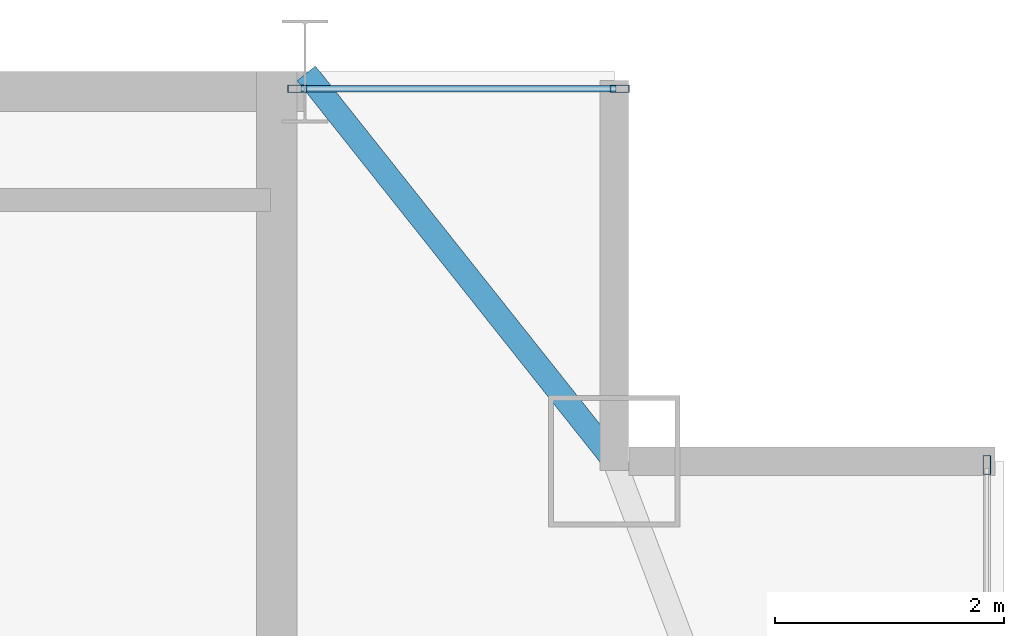
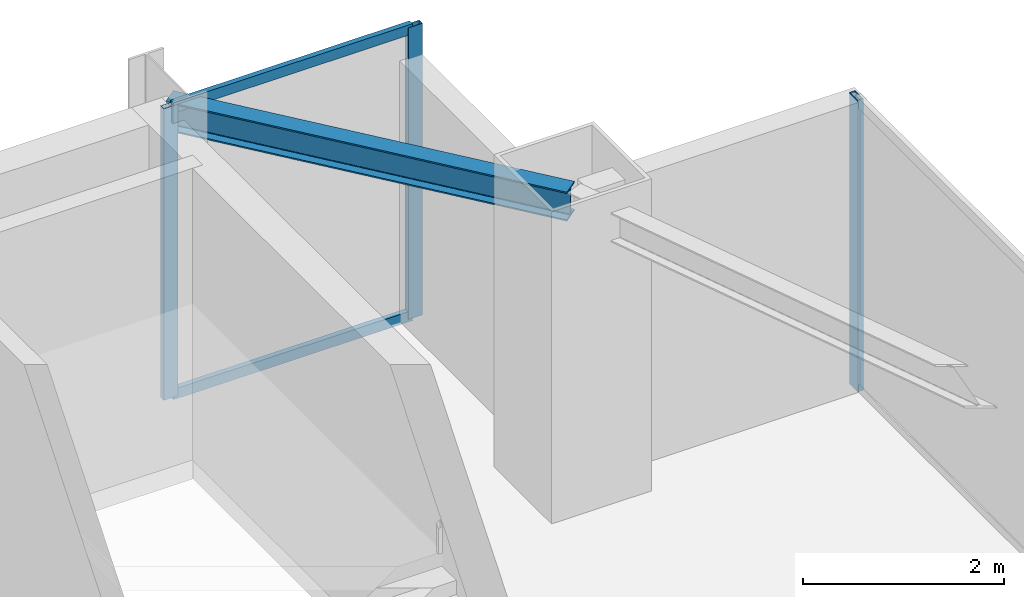
# One storey, part 18 of 25: 5 members, 1 beam, 2 elements without a shape of their own.
"""IFC4 building model written with IfcOpenShell, lengths in metres."""

from ifc_helpers import new_model, si_unit, direction, frame, origin, origin_2d, place, context, subcontext, project, spatial, hollow_rectangle, i_section, extrude, source, transform, mapped, material, layer, layer_set, material_profile, profile_set, type_object, type_shapes, element, aggregate, save


model = new_model("IFC4")

# Units and contexts
model_context = context("Model", 3, precision=1e-05, world=origin(), true_north=direction((0.0, 1.0)))
body_context = subcontext(model_context, "Body", "Model", "MODEL_VIEW")
ifc_project = project(units=[si_unit("LENGTHUNIT", "METRE"), si_unit("AREAUNIT", "SQUARE_METRE"), si_unit("VOLUMEUNIT", "CUBIC_METRE"), si_unit("PLANEANGLEUNIT", "RADIAN"), si_unit("MASSUNIT", "GRAM", prefix="KILO")], contexts=[model_context])

# Site, building, storey
site_placement = place(None, origin())
site = spatial("IfcSite", under=ifc_project, at=site_placement, CompositionType="ELEMENT")
building_placement = place(site_placement, origin())
building = spatial("IfcBuilding", under=site, at=building_placement, Name="Varnel Quay Broadcast Tower", CompositionType="ELEMENT")
storey_placement = place(building_placement, frame((0.0, 0.0, 226.39990234375)))
storey = spatial("IfcBuildingStorey", under=building, at=storey_placement, Name="L56", CompositionType="ELEMENT", Elevation=226.39990234375)

# Beam
ifc_material_1 = material(Name="Structural Steel CSA G40.21 350W", Category="steel")
ifc_material_profile_1 = material_profile(ifc_material_1, i_section(OverallWidth=0.205078125, OverallDepth=0.35400390625, WebThickness=0.009521484375, FlangeThickness=0.016845703125, FilletRadius=0.012939453125, at=origin_2d()), Name="W360X79")
ifc_profile_set_1 = profile_set([ifc_material_profile_1], Name="Structural Steel CSA G40.21 350W")
beam_type = type_object("IfcBeamType", Name="Beam_W360X79", PredefinedType="SPANDREL", material=ifc_profile_set_1)
shared_shape_1 = source(origin(), body_context, "Body", "SweptSolid", [
    extrude(i_section(OverallWidth=0.205078125, OverallDepth=0.35400390625, WebThickness=0.009521484375, FlangeThickness=0.016845703125, FilletRadius=0.012939453125, at=origin_2d()), origin(), (0.0, 0.0, 1.0), 4.301513671875),
])
type_shapes(beam_type, [shared_shape_1])
beam_placement = place(storey_placement, frame((52.412353515625, 46.7841796875, 3.373046875), z_axis=(0.621936399401, -0.783067758946, 0.0), x_axis=(0.783067758946, 0.621936399401, 0.0)))
element("IfcBeam", 1, at=beam_placement, inside=storey, type_object=beam_type, Name="L56 NE Tie Spandrel", PredefinedType="SPANDREL", context=body_context, shape_type="MappedRepresentation", body=[
    mapped(shared_shape_1, transform((0.0, 0.0, 0.0), x_axis=(1.0, 0.0, 0.0), y_axis=(0.0, 1.0, 0.0), z_axis=(0.0, 0.0, 1.0), scale=1.0)),
])

# Curtain wall, member
ifc_material_2 = material(Name="Anodised Bronze Aluminium 6063-T6", Category="aluminium")
ifc_layer = layer(ifc_material_2, 0.18994140625, Name="Anodised Bronze Aluminium 6063-T6")
ifc_layer_set = layer_set([ifc_layer], Name="Anodised Bronze Aluminium 6063-T6")
curtain_wall_type = type_object("IfcCurtainWallType", Name="CW_UpperTower", PredefinedType="NOTDEFINED", material=ifc_layer_set)
curtain_wall_1_placement = place(storey_placement, origin())
curtain_wall_1 = element("IfcCurtainWall", 2, at=curtain_wall_1_placement, inside=storey, type_object=curtain_wall_type, Name="L56 East Unitised Curtain Wall", PredefinedType="NOTDEFINED")
ifc_material_profile_2 = material_profile(ifc_material_2, hollow_rectangle(XDim=0.06494140625, YDim=0.1650390625, WallThickness=0.00341796875, at=origin_2d()), Name="ALU65X165X3.5")
ifc_profile_set_2 = profile_set([ifc_material_profile_2], Name="Anodised Bronze Aluminium 6063-T6")
member_type_1 = type_object("IfcMemberType", Name="Mull_CWS-03", PredefinedType="MULLION", material=ifc_profile_set_2)
shared_shape_2 = source(origin(), body_context, "Body", "SweptSolid", [
    extrude(hollow_rectangle(XDim=0.06494140625, YDim=0.1650390625, WallThickness=0.00341796875, at=origin_2d()), origin(), (0.0, 0.0, 1.0), 3.550048828125),
])
type_shapes(member_type_1, [shared_shape_2])
member_1_placement = place(storey_placement, frame((58.35009765625, 43.367431640625, 0.0), z_axis=(0.0, 0.0, 1.0), x_axis=(-1.0, 0.0, 0.0)))
member_1 = element("IfcMember", 3, at=member_1_placement, type_object=member_type_1, Name="CWS-03 mullion 3", PredefinedType="MULLION", context=body_context, shape_type="MappedRepresentation", body=[
    mapped(shared_shape_2, transform((0.0, 0.0, 0.0), x_axis=(1.0, 0.0, 0.0), y_axis=(0.0, 1.0, 0.0), z_axis=(0.0, 0.0, 1.0), scale=1.0)),
])
aggregate(curtain_wall_1, [member_1])

# Curtain wall, members
curtain_wall_2_placement = place(storey_placement, origin())
curtain_wall_2 = element("IfcCurtainWall", 4, at=curtain_wall_2_placement, inside=storey, type_object=curtain_wall_type, Name="L56 NE Wing Curtain Wall", PredefinedType="NOTDEFINED")
member_2_placement = place(storey_placement, frame((52.33251953125, 46.64990234375, 0.0), z_axis=(0.0, 0.0, 1.0), x_axis=(0.0, 1.0, 0.0)))
member_2 = element("IfcMember", 5, at=member_2_placement, type_object=member_type_1, Name="CWS-03 mullion 1", PredefinedType="MULLION", context=body_context, shape_type="MappedRepresentation", body=[
    mapped(shared_shape_2, transform((0.0, 0.0, 0.0), x_axis=(1.0, 0.0, 0.0), y_axis=(0.0, 1.0, 0.0), z_axis=(0.0, 0.0, 1.0), scale=1.0)),
])
member_3_placement = place(storey_placement, frame((55.1474609375, 46.64990234375, 0.0), z_axis=(0.0, 0.0, 1.0), x_axis=(0.0, 1.0, 0.0)))
member_3 = element("IfcMember", 6, at=member_3_placement, type_object=member_type_1, Name="CWS-03 mullion 2", PredefinedType="MULLION", context=body_context, shape_type="MappedRepresentation", body=[
    mapped(shared_shape_2, transform((0.0, 0.0, 0.0), x_axis=(1.0, 0.0, 0.0), y_axis=(0.0, 1.0, 0.0), z_axis=(0.0, 0.0, 1.0), scale=1.0)),
])
ifc_material_profile_3 = material_profile(ifc_material_2, hollow_rectangle(XDim=0.06005859375, YDim=0.125, WallThickness=0.0029296875, at=origin_2d()), Name="ALU60X125X3")
ifc_profile_set_3 = profile_set([ifc_material_profile_3], Name="Anodised Bronze Aluminium 6063-T6")
member_type_2 = type_object("IfcMemberType", Name="Tran_CWS-03", PredefinedType="USERDEFINED", material=ifc_profile_set_3)
shared_shape_3 = source(origin(), body_context, "Body", "SweptSolid", [
    extrude(hollow_rectangle(XDim=0.06005859375, YDim=0.125, WallThickness=0.0029296875, at=origin_2d()), origin(), (0.0, 0.0, 1.0), 2.75),
])
type_shapes(member_type_2, [shared_shape_3])
member_4_placement = place(storey_placement, frame((52.364990234375, 46.64990234375, 0.030029296875), z_axis=(1.0, 0.0, 0.0), x_axis=(0.0, 1.0, 0.0)))
member_4 = element("IfcMember", 7, at=member_4_placement, type_object=member_type_2, Name="CWS-03 transom 1.1", ObjectType="TRANSOM", PredefinedType="USERDEFINED", context=body_context, shape_type="MappedRepresentation", body=[
    mapped(shared_shape_3, transform((0.0, 0.0, 0.0), x_axis=(1.0, 0.0, 0.0), y_axis=(0.0, 1.0, 0.0), z_axis=(0.0, 0.0, 1.0), scale=1.0)),
])
member_5_placement = place(storey_placement, frame((52.364990234375, 46.64990234375, 3.52001953125), z_axis=(1.0, 0.0, 0.0), x_axis=(0.0, 1.0, 0.0)))
member_5 = element("IfcMember", 8, at=member_5_placement, type_object=member_type_2, Name="CWS-03 transom 1.2", ObjectType="TRANSOM", PredefinedType="USERDEFINED", context=body_context, shape_type="MappedRepresentation", body=[
    mapped(shared_shape_3, transform((0.0, 0.0, 0.0), x_axis=(1.0, 0.0, 0.0), y_axis=(0.0, 1.0, 0.0), z_axis=(0.0, 0.0, 1.0), scale=1.0)),
])
aggregate(curtain_wall_2, [member_2, member_3, member_4, member_5])

save(model, "model.ifc")
